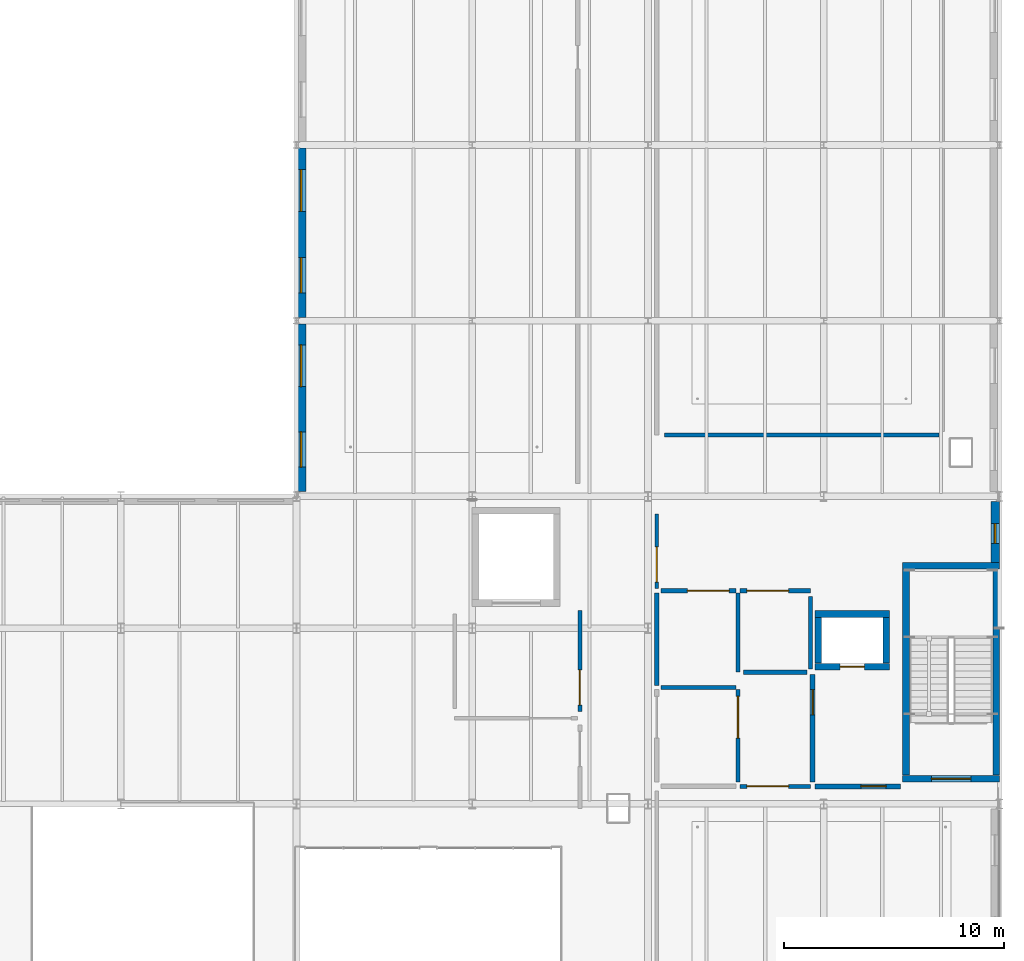
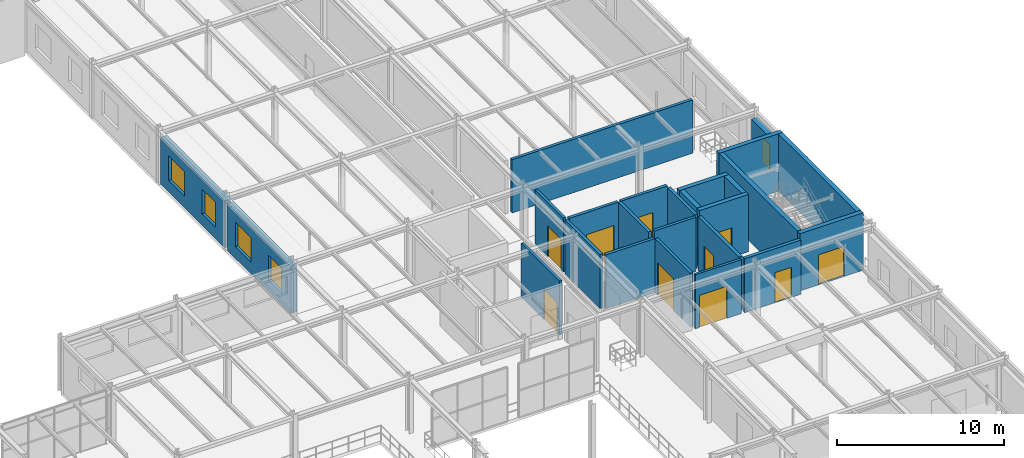
# One storey, part 87 of 124: 25 walls, 10 doors, 5 windows, 15 openings.
"""IFC4 building model written with IfcOpenShell, lengths in metres."""

from ifc_helpers import new_model, si_unit, direction, frame, frame_2d, origin, place, context, subcontext, project, spatial, rectangle, extrude, material, layer, layer_set, type_object, element, fill, save


model = new_model("IFC4")

# Units and contexts
model_context = context("Model", 3, precision=1e-05, world=origin(), true_north=direction((0.0, 1.0)))
body_context = subcontext(model_context, "Body", "Model", "MODEL_VIEW")
ifc_project = project(units=[si_unit("LENGTHUNIT", "METRE"), si_unit("AREAUNIT", "SQUARE_METRE"), si_unit("VOLUMEUNIT", "CUBIC_METRE"), si_unit("PLANEANGLEUNIT", "RADIAN"), si_unit("MASSUNIT", "GRAM", prefix="KILO")], contexts=[model_context])

# Site, building, storey
site_placement = place(None, origin())
site = spatial("IfcSite", under=ifc_project, at=site_placement, CompositionType="ELEMENT")
building_placement = place(site_placement, origin())
building = spatial("IfcBuilding", under=site, at=building_placement, Name="Sundkrona Museum", CompositionType="ELEMENT")
storey_placement = place(building_placement, frame((0.0, 0.0, 17.60009765625)))
storey = spatial("IfcBuildingStorey", under=building, at=storey_placement, Name="L03", CompositionType="ELEMENT", Elevation=17.60009765625)

# Wall, opening, door
ifc_material_1 = material(Name="Concrete C40/50", Category="concrete")
ifc_layer_1 = layer(ifc_material_1, 0.300048828125)
ifc_layer_set_1 = layer_set([ifc_layer_1], Name="Concrete C40/50")
wall_type_1 = type_object("IfcWallType", Name="W-CORE-300", PredefinedType="SHEAR", material=ifc_layer_set_1)
wall_1_placement = place(storey_placement, frame((163.60009765625, 33.14990234375, 0.0), z_axis=(0.0, 0.0, 1.0), x_axis=(1.0, 0.0, 0.0)))
wall_1 = element("IfcWall", 1, at=wall_1_placement, inside=storey, type_object=wall_type_1, Name="L03 ST-1 Core Shear Wall South", PredefinedType="SHEAR", context=body_context, shape_type="SweptSolid", body=[
    extrude(rectangle(XDim=4.39990234375, YDim=0.300048828125, at=frame_2d((2.199951171875, 0.0))), origin(), (0.0, 0.0, 1.0), 4.199951171875),
])
opening_1_placement = place(wall_1_placement, frame((1.300048828125, 0.0, 0.0)))
opening_1 = element("IfcOpeningElement", 2, at=opening_1_placement, cuts=wall_1, Name="Opening D-FD60", PredefinedType="OPENING", context=body_context, shape_type="SweptSolid", body=[
    extrude(rectangle(XDim=1.800048828125, YDim=2.199951171875, at=frame_2d((0.89990234375, 1.10009765625))), frame((0.0, 0.159912109375, 0.0), z_axis=(0.0, -1.0, 0.0), x_axis=(1.0, 0.0, 0.0)), (0.0, 0.0, 1.0), 0.320068359375),
])
ifc_material_2 = material(Name="Steel S355J2 Fire Door Leaf", Category="steel")
door_type_1 = type_object("IfcDoorType", Name="D-FD60", OperationType="DOUBLE_DOOR_SINGLE_SWING", PredefinedType="DOOR", material=ifc_material_2)
door_1_placement = place(opening_1_placement, origin())
door_1 = element("IfcDoor", 3, at=door_1_placement, inside=storey, type_object=door_type_1, Name="L03 ST-1 Protected Escape Stair Door DR-ST-1-L03", OperationType="DOUBLE_DOOR_SINGLE_SWING", OverallHeight=2.199951171875, OverallWidth=1.800048828125, PredefinedType="DOOR", context=body_context, shape_type="SweptSolid", body=[
    extrude(rectangle(XDim=1.800048828125, YDim=2.199951171875, at=frame_2d((0.89990234375, 1.10009765625))), frame((0.0, 0.02490234375, 0.0), z_axis=(0.0, -1.0, 0.0), x_axis=(1.0, 0.0, 0.0)), (0.0, 0.0, 1.0), 0.050048828125),
])
fill(opening_1, door_1)

# Walls
wall_2_placement = place(storey_placement, frame((163.60009765625, 42.85009765625, 0.0), z_axis=(0.0, 0.0, 1.0), x_axis=(1.0, 0.0, 0.0)))
element("IfcWall", 4, at=wall_2_placement, inside=storey, type_object=wall_type_1, Name="L03 ST-1 Core Shear Wall North", PredefinedType="SHEAR", context=body_context, shape_type="SweptSolid", body=[
    extrude(rectangle(XDim=4.39990234375, YDim=0.300048828125, at=frame_2d((2.199951171875, 0.0))), origin(), (0.0, 0.0, 1.0), 4.199951171875),
])
for number, where, z_axis, x_axis, name in (
    (5, (163.75, 33.31005859375, 0.0), (0.0, 0.0, 1.0), (0.0, 1.0, 0.0), "L03 ST-1 Core Shear Wall West"),
    (6, (167.85009765625, 33.31005859375, 0.0), (0.0, 0.0, 1.0), (0.0, 1.0, 0.0), "L03 ST-1 Core Shear Wall East"),
):
    element("IfcWall", number, at=place(storey_placement, frame(where, z_axis=z_axis, x_axis=x_axis)), inside=storey, type_object=wall_type_1, Name=name, PredefinedType="SHEAR", context=body_context, shape_type="SweptSolid", body=[
        extrude(rectangle(XDim=9.3798828125, YDim=0.300048828125, at=frame_2d((4.68994140625, 0.0))), origin(), (0.0, 0.0, 1.0), 4.199951171875),
    ])

# Wall, opening, door
wall_3_placement = place(storey_placement, frame((159.60009765625, 38.25, 0.0), z_axis=(0.0, 0.0, 1.0), x_axis=(1.0, 0.0, 0.0)))
wall_3 = element("IfcWall", 7, at=wall_3_placement, inside=storey, type_object=wall_type_1, Name="L03 PL-1 Lift Shaft Wall South", PredefinedType="SHEAR", context=body_context, shape_type="SweptSolid", body=[
    extrude(rectangle(XDim=3.39990234375, YDim=0.300048828125, at=frame_2d((1.699951171875, 0.0))), origin(), (0.0, 0.0, 1.0), 4.199951171875),
])
opening_2_placement = place(wall_3_placement, frame((1.14990234375, 0.0, 0.0)))
opening_2 = element("IfcOpeningElement", 8, at=opening_2_placement, cuts=wall_3, Name="Opening LD-01", PredefinedType="OPENING", context=body_context, shape_type="SweptSolid", body=[
    extrude(rectangle(XDim=1.10009765625, YDim=2.14990234375, at=frame_2d((0.550048828125, 1.074951171875))), frame((0.0, 0.159912109375, 0.0), z_axis=(0.0, -1.0, 0.0), x_axis=(1.0, 0.0, 0.0)), (0.0, 0.0, 1.0), 0.320068359375),
])
ifc_material_3 = material(Name="Brushed Stainless Steel Lift Door", Category="steel")
door_type_2 = type_object("IfcDoorType", Name="LD-01", OperationType="SLIDING_TO_LEFT", PredefinedType="DOOR", material=ifc_material_3)
door_2_placement = place(opening_2_placement, origin())
door_2 = element("IfcDoor", 9, at=door_2_placement, inside=storey, type_object=door_type_2, Name="L03 Firefighters Passenger Lift PL-1 Landing Door DR-LIFT-PL-1-L03", OperationType="SLIDING_TO_LEFT", OverallHeight=2.14990234375, OverallWidth=1.10009765625, PredefinedType="DOOR", context=body_context, shape_type="SweptSolid", body=[
    extrude(rectangle(XDim=1.10009765625, YDim=2.14990234375, at=frame_2d((0.550048828125, 1.074951171875))), frame((0.0, 0.02490234375, 0.0), z_axis=(0.0, -1.0, 0.0), x_axis=(1.0, 0.0, 0.0)), (0.0, 0.0, 1.0), 0.050048828125),
])
fill(opening_2, door_2)

# Walls
wall_4_placement = place(storey_placement, frame((159.60009765625, 40.64990234375, 0.0), z_axis=(0.0, 0.0, 1.0), x_axis=(1.0, 0.0, 0.0)))
element("IfcWall", 10, at=wall_4_placement, inside=storey, type_object=wall_type_1, Name="L03 PL-1 Lift Shaft Wall North", PredefinedType="SHEAR", context=body_context, shape_type="SweptSolid", body=[
    extrude(rectangle(XDim=3.39990234375, YDim=0.300048828125, at=frame_2d((1.699951171875, 0.0))), origin(), (0.0, 0.0, 1.0), 4.199951171875),
])
for number, where, z_axis, x_axis, name in (
    (11, (159.75, 38.409912109375, 0.0), (0.0, 0.0, 1.0), (0.0, 1.0, 0.0), "L03 PL-1 Lift Shaft Wall West"),
    (12, (162.85009765625, 38.409912109375, 0.0), (0.0, 0.0, 1.0), (0.0, 1.0, 0.0), "L03 PL-1 Lift Shaft Wall East"),
):
    element("IfcWall", number, at=place(storey_placement, frame(where, z_axis=z_axis, x_axis=x_axis)), inside=storey, type_object=wall_type_1, Name=name, PredefinedType="SHEAR", context=body_context, shape_type="SweptSolid", body=[
        extrude(rectangle(XDim=2.080078125, YDim=0.300048828125, at=frame_2d((1.0400390625, 0.0))), origin(), (0.0, 0.0, 1.0), 4.199951171875),
    ])

# Wall, opening, window
ifc_material_4 = material(Name="Scanian Polychrome Clay Brickwork 390 mm", Category="masonry")
ifc_layer_2 = layer(ifc_material_4, 0.389892578125)
ifc_layer_set_2 = layer_set([ifc_layer_2], Name="Scanian Polychrome Clay Brickwork 390 mm")
wall_type_2 = type_object("IfcWallType", Name="W-EX-390", PredefinedType="SOLIDWALL", material=ifc_layer_set_2)
wall_5_placement = place(storey_placement, frame((167.804931640625, 45.77294921875, 0.0), z_axis=(0.0, 0.0, 1.0), x_axis=(0.0, -1.0, 0.0)))
wall_5 = element("IfcWall", 13, at=wall_5_placement, inside=storey, type_object=wall_type_2, Name="L03 Facade Wall 0047", PredefinedType="SOLIDWALL", context=body_context, shape_type="SweptSolid", body=[
    extrude(rectangle(XDim=2.912841796875, YDim=0.389892578125, at=frame_2d((1.45654296875, 0.0))), origin(), (0.0, 0.0, 1.0), 3.44482421875),
])
opening_3_placement = place(wall_5_placement, frame((1.006591796875, 0.0, 0.85009765625)))
opening_3 = element("IfcOpeningElement", 14, at=opening_3_placement, cuts=wall_5, Name="Opening WN-ST-090x180", PredefinedType="OPENING", context=body_context, shape_type="SweptSolid", body=[
    extrude(rectangle(XDim=0.89990234375, YDim=1.800048828125, at=frame_2d((0.449951171875, 0.89990234375))), frame((0.0, 0.204833984375, 0.0), z_axis=(0.0, -1.0, 0.0), x_axis=(1.0, 0.0, 0.0)), (0.0, 0.0, 1.0), 0.409912109375),
])
ifc_material_5 = material(Name="Triple Low-E Argon Glazing in Bronze-Anodised Aluminium", Category="aluminium")
window_type_1 = type_object("IfcWindowType", Name="WN-ST-090x180", PartitioningType="SINGLE_PANEL", PredefinedType="WINDOW", material=ifc_material_5)
window_1_placement = place(opening_3_placement, origin())
window_1 = element("IfcWindow", 15, at=window_1_placement, inside=storey, type_object=window_type_1, Name="L03 Stair-core avenue daylight slot window 900x1800 WIN-L03-0061", OverallHeight=1.800048828125, OverallWidth=0.89990234375, PartitioningType="SINGLE_PANEL", PredefinedType="WINDOW", context=body_context, shape_type="SweptSolid", body=[
    extrude(rectangle(XDim=0.89990234375, YDim=1.800048828125, at=frame_2d((0.449951171875, 0.89990234375))), frame((0.0, 0.030029296875, 0.0), z_axis=(0.0, -1.0, 0.0), x_axis=(1.0, 0.0, 0.0)), (0.0, 0.0, 1.0), 0.06005859375),
])
fill(opening_3, window_1)

# Wall, openings, windows
ifc_material_6 = material(Name="Scanian Polychrome Clay Brickwork 420 mm", Category="masonry")
ifc_layer_3 = layer(ifc_material_6, 0.419921875)
ifc_layer_set_3 = layer_set([ifc_layer_3], Name="Scanian Polychrome Clay Brickwork 420 mm")
wall_type_3 = type_object("IfcWallType", Name="W-EX-420", PredefinedType="SOLIDWALL", material=ifc_layer_set_3)
wall_6_placement = place(storey_placement, frame((136.2099609375, 46.22705078125, 0.0), z_axis=(0.0, 0.0, 1.0), x_axis=(0.0, 1.0, 0.0)))
wall_6 = element("IfcWall", 16, at=wall_6_placement, inside=storey, type_object=wall_type_3, Name="L03 Facade Wall 0311", PredefinedType="SOLIDWALL", context=body_context, shape_type="SweptSolid", body=[
    extrude(rectangle(XDim=7.630859375, YDim=0.419921875, at=frame_2d((3.8154296875, 0.0))), origin(), (0.0, 0.0, 1.0), 3.44482421875),
])
opening_4_placement = place(wall_6_placement, frame((1.10791015625, 0.0, 0.85009765625)))
opening_4 = element("IfcOpeningElement", 17, at=opening_4_placement, cuts=wall_6, Name="Opening WN-LB-160x180", PredefinedType="OPENING", context=body_context, shape_type="SweptSolid", body=[
    extrude(rectangle(XDim=1.60009765625, YDim=1.800048828125, at=frame_2d((0.800048828125, 0.89990234375))), frame((0.0, 0.219970703125, 0.0), z_axis=(0.0, -1.0, 0.0), x_axis=(1.0, 0.0, 0.0)), (0.0, 0.0, 1.0), 0.43994140625),
])
opening_5_placement = place(wall_6_placement, frame((4.773193359375, 0.0, 0.85009765625)))
opening_5 = element("IfcOpeningElement", 18, at=opening_5_placement, cuts=wall_6, Name="Opening WN-LB-190x180", PredefinedType="OPENING", context=body_context, shape_type="SweptSolid", body=[
    extrude(rectangle(XDim=1.89990234375, YDim=1.800048828125, at=frame_2d((0.949951171875, 0.89990234375))), frame((0.0, 0.219970703125, 0.0), z_axis=(0.0, -1.0, 0.0), x_axis=(1.0, 0.0, 0.0)), (0.0, 0.0, 1.0), 0.43994140625),
])
window_type_2 = type_object("IfcWindowType", Name="WN-LB-160x180", PartitioningType="DOUBLE_PANEL_VERTICAL", PredefinedType="WINDOW", material=ifc_material_5)
window_2_placement = place(opening_4_placement, origin())
window_2 = element("IfcWindow", 19, at=window_2_placement, inside=storey, type_object=window_type_2, Name="L03 Conservation laboratory deep-reveal window 1600x1800 WIN-L03-0428", OverallHeight=1.800048828125, OverallWidth=1.60009765625, PartitioningType="DOUBLE_PANEL_VERTICAL", PredefinedType="WINDOW", context=body_context, shape_type="SweptSolid", body=[
    extrude(rectangle(XDim=1.60009765625, YDim=1.800048828125, at=frame_2d((0.800048828125, 0.89990234375))), frame((0.0, 0.030029296875, 0.0), z_axis=(0.0, -1.0, 0.0), x_axis=(1.0, 0.0, 0.0)), (0.0, 0.0, 1.0), 0.06005859375),
])
fill(opening_4, window_2)
window_type_3 = type_object("IfcWindowType", Name="WN-LB-190x180", PartitioningType="DOUBLE_PANEL_VERTICAL", PredefinedType="WINDOW", material=ifc_material_5)
window_3_placement = place(opening_5_placement, origin())
window_3 = element("IfcWindow", 20, at=window_3_placement, inside=storey, type_object=window_type_3, Name="L03 Analytical studio bench-height window 1900x1800 WIN-L03-0429", OverallHeight=1.800048828125, OverallWidth=1.89990234375, PartitioningType="DOUBLE_PANEL_VERTICAL", PredefinedType="WINDOW", context=body_context, shape_type="SweptSolid", body=[
    extrude(rectangle(XDim=1.89990234375, YDim=1.800048828125, at=frame_2d((0.949951171875, 0.89990234375))), frame((0.0, 0.030029296875, 0.0), z_axis=(0.0, -1.0, 0.0), x_axis=(1.0, 0.0, 0.0)), (0.0, 0.0, 1.0), 0.06005859375),
])
fill(opening_5, window_3)

wall_7_placement = place(storey_placement, frame((136.2099609375, 54.14208984375, 0.0), z_axis=(0.0, 0.0, 1.0), x_axis=(0.0, 1.0, 0.0)))
wall_7 = element("IfcWall", 21, at=wall_7_placement, inside=storey, type_object=wall_type_3, Name="L03 Facade Wall 0312", PredefinedType="SOLIDWALL", context=body_context, shape_type="SweptSolid", body=[
    extrude(rectangle(XDim=7.7158203125, YDim=0.419921875, at=frame_2d((3.85791015625, 0.0))), origin(), (0.0, 0.0, 1.0), 3.44482421875),
])
opening_6_placement = place(wall_7_placement, frame((1.12890625, 0.0, 0.85009765625)))
opening_6 = element("IfcOpeningElement", 22, at=opening_6_placement, cuts=wall_7, Name="Opening WN-LB-160x180", PredefinedType="OPENING", context=body_context, shape_type="SweptSolid", body=[
    extrude(rectangle(XDim=1.60009765625, YDim=1.800048828125, at=frame_2d((0.800048828125, 0.89990234375))), frame((0.0, 0.219970703125, 0.0), z_axis=(0.0, -1.0, 0.0), x_axis=(1.0, 0.0, 0.0)), (0.0, 0.0, 1.0), 0.43994140625),
])
opening_7_placement = place(wall_7_placement, frame((4.8369140625, 0.0, 0.85009765625)))
opening_7 = element("IfcOpeningElement", 23, at=opening_7_placement, cuts=wall_7, Name="Opening WN-LB-190x180", PredefinedType="OPENING", context=body_context, shape_type="SweptSolid", body=[
    extrude(rectangle(XDim=1.89990234375, YDim=1.800048828125, at=frame_2d((0.949951171875, 0.89990234375))), frame((0.0, 0.219970703125, 0.0), z_axis=(0.0, -1.0, 0.0), x_axis=(1.0, 0.0, 0.0)), (0.0, 0.0, 1.0), 0.43994140625),
])
window_4_placement = place(opening_6_placement, origin())
window_4 = element("IfcWindow", 24, at=window_4_placement, inside=storey, type_object=window_type_2, Name="L03 Conservation laboratory deep-reveal window 1600x1800 WIN-L03-0430", OverallHeight=1.800048828125, OverallWidth=1.60009765625, PartitioningType="DOUBLE_PANEL_VERTICAL", PredefinedType="WINDOW", context=body_context, shape_type="SweptSolid", body=[
    extrude(rectangle(XDim=1.60009765625, YDim=1.800048828125, at=frame_2d((0.800048828125, 0.89990234375))), frame((0.0, 0.030029296875, 0.0), z_axis=(0.0, -1.0, 0.0), x_axis=(1.0, 0.0, 0.0)), (0.0, 0.0, 1.0), 0.06005859375),
])
fill(opening_6, window_4)
window_5_placement = place(opening_7_placement, origin())
window_5 = element("IfcWindow", 25, at=window_5_placement, inside=storey, type_object=window_type_3, Name="L03 Analytical studio bench-height window 1900x1800 WIN-L03-0431", OverallHeight=1.800048828125, OverallWidth=1.89990234375, PartitioningType="DOUBLE_PANEL_VERTICAL", PredefinedType="WINDOW", context=body_context, shape_type="SweptSolid", body=[
    extrude(rectangle(XDim=1.89990234375, YDim=1.800048828125, at=frame_2d((0.949951171875, 0.89990234375))), frame((0.0, 0.030029296875, 0.0), z_axis=(0.0, -1.0, 0.0), x_axis=(1.0, 0.0, 0.0)), (0.0, 0.0, 1.0), 0.06005859375),
])
fill(opening_7, window_5)

# Wall, opening, door
ifc_material_7 = material(Name="Autoclaved Aerated Masonry 225 mm", Category="masonry")
ifc_layer_4 = layer(ifc_material_7, 0.22509765625)
ifc_layer_set_4 = layer_set([ifc_layer_4], Name="Autoclaved Aerated Masonry 225 mm")
wall_type_4 = type_object("IfcWallType", Name="W-FF-225", PredefinedType="SOLIDWALL", material=ifc_layer_set_4)
wall_8_placement = place(storey_placement, frame((159.5, 33.0, 0.0), z_axis=(0.0, 0.0, 1.0), x_axis=(0.0, 1.0, 0.0)))
wall_8 = element("IfcWall", 26, at=wall_8_placement, inside=storey, type_object=wall_type_4, Name="L03 Partition Firefighting Lobby / Core 1 Level 03 Link", PredefinedType="SOLIDWALL", context=body_context, shape_type="SweptSolid", body=[
    extrude(rectangle(XDim=4.89990234375, YDim=0.22509765625, at=frame_2d((2.449951171875, 0.0))), origin(), (0.0, 0.0, 1.0), 3.9599609375),
])
opening_8_placement = place(wall_8_placement, frame((3.05615234375, 0.0, 0.0)))
opening_8 = element("IfcOpeningElement", 27, at=opening_8_placement, cuts=wall_8, Name="Opening D-FF60", PredefinedType="OPENING", context=body_context, shape_type="SweptSolid", body=[
    extrude(rectangle(XDim=1.14990234375, YDim=2.199951171875, at=frame_2d((0.574951171875, 1.10009765625))), frame((0.0, 0.12255859375, 0.0), z_axis=(0.0, -1.0, 0.0), x_axis=(1.0, 0.0, 0.0)), (0.0, 0.0, 1.0), 0.2451171875),
])
door_type_3 = type_object("IfcDoorType", Name="D-FF60", OperationType="NOTDEFINED", PredefinedType="DOOR", material=ifc_material_2)
door_3_placement = place(opening_8_placement, origin())
door_3 = element("IfcDoor", 28, at=door_3_placement, inside=storey, type_object=door_type_3, Name="L03 Interior Door DR-ADJ-L03-0147", OperationType="SINGLE_SWING_LEFT", OverallHeight=2.199951171875, OverallWidth=1.14990234375, PredefinedType="DOOR", context=body_context, shape_type="SweptSolid", body=[
    extrude(rectangle(XDim=1.14990234375, YDim=2.199951171875, at=frame_2d((0.574951171875, 1.10009765625))), frame((0.0, 0.02490234375, 0.0), z_axis=(0.0, -1.0, 0.0), x_axis=(1.0, 0.0, 0.0)), (0.0, 0.0, 1.0), 0.050048828125),
])
fill(opening_8, door_3)

wall_9_placement = place(storey_placement, frame((159.60009765625, 32.800048828125, 0.0), z_axis=(0.0, 0.0, 1.0), x_axis=(1.0, 0.0, 0.0)))
wall_9 = element("IfcWall", 29, at=wall_9_placement, inside=storey, type_object=wall_type_4, Name="L03 Partition Firefighting Lobby / Ornithology Exhibition Hall", PredefinedType="SOLIDWALL", context=body_context, shape_type="SweptSolid", body=[
    extrude(rectangle(XDim=3.89990234375, YDim=0.22509765625, at=frame_2d((1.949951171875, 0.0))), origin(), (0.0, 0.0, 1.0), 3.9599609375),
])
opening_9_placement = place(wall_9_placement, frame((2.091796875, 0.0, 0.0)))
opening_9 = element("IfcOpeningElement", 30, at=opening_9_placement, cuts=wall_9, Name="Opening D-FF60", PredefinedType="OPENING", context=body_context, shape_type="SweptSolid", body=[
    extrude(rectangle(XDim=1.14990234375, YDim=2.199951171875, at=frame_2d((0.574951171875, 1.10009765625))), frame((0.0, 0.12255859375, 0.0), z_axis=(0.0, -1.0, 0.0), x_axis=(1.0, 0.0, 0.0)), (0.0, 0.0, 1.0), 0.2451171875),
])
door_4_placement = place(opening_9_placement, origin())
door_4 = element("IfcDoor", 31, at=door_4_placement, inside=storey, type_object=door_type_3, Name="L03 Interior Door DR-ADJ-L03-0148", OperationType="SINGLE_SWING_RIGHT", OverallHeight=2.199951171875, OverallWidth=1.14990234375, PredefinedType="DOOR", context=body_context, shape_type="SweptSolid", body=[
    extrude(rectangle(XDim=1.14990234375, YDim=2.199951171875, at=frame_2d((0.574951171875, 1.10009765625))), frame((0.0, 0.02490234375, 0.0), z_axis=(0.0, -1.0, 0.0), x_axis=(1.0, 0.0, 0.0)), (0.0, 0.0, 1.0), 0.050048828125),
])
fill(opening_9, door_4)

ifc_material_8 = material(Name="Fire-rated Gypsum Partition Board 175 mm", Category="other")
ifc_layer_5 = layer(ifc_material_8, 0.175048828125)
ifc_layer_set_5 = layer_set([ifc_layer_5], Name="Fire-rated Gypsum Partition Board 175 mm")
wall_type_5 = type_object("IfcWallType", Name="W-PT-175", PredefinedType="PARTITIONING", material=ifc_layer_set_5)
wall_10_placement = place(storey_placement, frame((148.89990234375, 36.199951171875, 0.0), z_axis=(0.0, 0.0, 1.0), x_axis=(0.0, 1.0, 0.0)))
wall_10 = element("IfcWall", 32, at=wall_10_placement, inside=storey, type_object=wall_type_5, Name="L03 Partition Goods Lift Lobby / East Laboratory Spine", PredefinedType="PARTITIONING", context=body_context, shape_type="SweptSolid", body=[
    extrude(rectangle(XDim=4.60009765625, YDim=0.175048828125, at=frame_2d((2.300048828125, 0.0))), origin(), (0.0, 0.0, 1.0), 3.9599609375),
])
opening_10_placement = place(wall_10_placement, frame((0.300048828125, 0.0, 0.0)))
opening_10 = element("IfcOpeningElement", 33, at=opening_10_placement, cuts=wall_10, Name="Opening D-CMP-160", PredefinedType="OPENING", context=body_context, shape_type="SweptSolid", body=[
    extrude(rectangle(XDim=1.60009765625, YDim=2.25, at=frame_2d((0.800048828125, 1.125))), frame((0.0, 0.097412109375, 0.0), z_axis=(0.0, -1.0, 0.0), x_axis=(1.0, 0.0, 0.0)), (0.0, 0.0, 1.0), 0.195068359375),
])
ifc_material_9 = material(Name="Glazed Steel Fire Screen Door", Category="steel")
door_type_4 = type_object("IfcDoorType", Name="D-CMP-160", OperationType="DOUBLE_DOOR_SINGLE_SWING", PredefinedType="DOOR", material=ifc_material_9)
door_5_placement = place(opening_10_placement, origin())
door_5 = element("IfcDoor", 34, at=door_5_placement, inside=storey, type_object=door_type_4, Name="L03 Interior Door DR-ADJ-L03-0150", OperationType="DOUBLE_DOOR_SINGLE_SWING", OverallHeight=2.25, OverallWidth=1.60009765625, PredefinedType="DOOR", context=body_context, shape_type="SweptSolid", body=[
    extrude(rectangle(XDim=1.60009765625, YDim=2.25, at=frame_2d((0.800048828125, 1.125))), frame((0.0, 0.02490234375, 0.0), z_axis=(0.0, -1.0, 0.0), x_axis=(1.0, 0.0, 0.0)), (0.0, 0.0, 1.0), 0.050048828125),
])
fill(opening_10, door_5)

wall_11_placement = place(storey_placement, frame((152.39990234375, 41.800048828125, 0.0), z_axis=(0.0, 0.0, 1.0), x_axis=(0.0, 1.0, 0.0)))
wall_11 = element("IfcWall", 35, at=wall_11_placement, inside=storey, type_object=wall_type_5, Name="L03 Partition Sanitary WC Lobby / East Laboratory Spine", PredefinedType="PARTITIONING", context=body_context, shape_type="SweptSolid", body=[
    extrude(rectangle(XDim=3.39990234375, YDim=0.175048828125, at=frame_2d((1.699951171875, 0.0))), origin(), (0.0, 0.0, 1.0), 3.9599609375),
])
opening_11_placement = place(wall_11_placement, frame((0.300048828125, 0.0, 0.0)))
opening_11 = element("IfcOpeningElement", 36, at=opening_11_placement, cuts=wall_11, Name="Opening D-CMP-160", PredefinedType="OPENING", context=body_context, shape_type="SweptSolid", body=[
    extrude(rectangle(XDim=1.60009765625, YDim=2.25, at=frame_2d((0.800048828125, 1.125))), frame((0.0, 0.097412109375, 0.0), z_axis=(0.0, -1.0, 0.0), x_axis=(1.0, 0.0, 0.0)), (0.0, 0.0, 1.0), 0.195068359375),
])
door_6_placement = place(opening_11_placement, origin())
door_6 = element("IfcDoor", 37, at=door_6_placement, inside=storey, type_object=door_type_4, Name="L03 Interior Door DR-ADJ-L03-0153", OperationType="DOUBLE_DOOR_SINGLE_SWING", OverallHeight=2.25, OverallWidth=1.60009765625, PredefinedType="DOOR", context=body_context, shape_type="SweptSolid", body=[
    extrude(rectangle(XDim=1.60009765625, YDim=2.25, at=frame_2d((0.800048828125, 1.125))), frame((0.0, 0.02490234375, 0.0), z_axis=(0.0, -1.0, 0.0), x_axis=(1.0, 0.0, 0.0)), (0.0, 0.0, 1.0), 0.050048828125),
])
fill(opening_11, door_6)

wall_12_placement = place(storey_placement, frame((156.199951171875, 32.800048828125, 0.0), z_axis=(0.0, 0.0, 1.0), x_axis=(1.0, 0.0, 0.0)))
wall_12 = element("IfcWall", 38, at=wall_12_placement, inside=storey, type_object=wall_type_5, Name="L03 Partition Core 1 Level 03 Link / Ornithology Exhibition Hall", PredefinedType="PARTITIONING", context=body_context, shape_type="SweptSolid", body=[
    extrude(rectangle(XDim=3.199951171875, YDim=0.175048828125, at=frame_2d((1.60009765625, 0.0))), origin(), (0.0, 0.0, 1.0), 3.9599609375),
])
opening_12_placement = place(wall_12_placement, frame((0.300048828125, 0.0, 0.0)))
opening_12 = element("IfcOpeningElement", 39, at=opening_12_placement, cuts=wall_12, Name="Opening D-AUD-190", PredefinedType="OPENING", context=body_context, shape_type="SweptSolid", body=[
    extrude(rectangle(XDim=1.89990234375, YDim=2.35009765625, at=frame_2d((0.949951171875, 1.175048828125))), frame((0.0, 0.097412109375, 0.0), z_axis=(0.0, -1.0, 0.0), x_axis=(1.0, 0.0, 0.0)), (0.0, 0.0, 1.0), 0.195068359375),
])
ifc_material_10 = material(Name="Acoustic Oak Fire Door", Category="other")
door_type_5 = type_object("IfcDoorType", Name="D-AUD-190", OperationType="DOUBLE_DOOR_SINGLE_SWING", PredefinedType="DOOR", material=ifc_material_10)
door_7_placement = place(opening_12_placement, origin())
door_7 = element("IfcDoor", 40, at=door_7_placement, inside=storey, type_object=door_type_5, Name="L03 Interior Door DR-ADJ-L03-0169", OperationType="DOUBLE_DOOR_SINGLE_SWING", OverallHeight=2.35009765625, OverallWidth=1.89990234375, PredefinedType="DOOR", context=body_context, shape_type="SweptSolid", body=[
    extrude(rectangle(XDim=1.89990234375, YDim=2.35009765625, at=frame_2d((0.949951171875, 1.175048828125))), frame((0.0, 0.02490234375, 0.0), z_axis=(0.0, -1.0, 0.0), x_axis=(1.0, 0.0, 0.0)), (0.0, 0.0, 1.0), 0.050048828125),
])
fill(opening_12, door_7)

ifc_material_11 = material(Name="Moisture-resistant Tile Partition 200 mm", Category="other")
ifc_layer_6 = layer(ifc_material_11, 0.199951171875)
ifc_layer_set_6 = layer_set([ifc_layer_6], Name="Moisture-resistant Tile Partition 200 mm")
wall_type_6 = type_object("IfcWallType", Name="W-PT-200", PredefinedType="PARTITIONING", material=ifc_layer_set_6)
wall_13_placement = place(storey_placement, frame((152.60009765625, 41.699951171875, 0.0), z_axis=(0.0, 0.0, 1.0), x_axis=(1.0, 0.0, 0.0)))
wall_13 = element("IfcWall", 41, at=wall_13_placement, inside=storey, type_object=wall_type_6, Name="L03 Partition Sanitary WC Lobby / Female Toilet", PredefinedType="PARTITIONING", context=body_context, shape_type="SweptSolid", body=[
    extrude(rectangle(XDim=3.39990234375, YDim=0.199951171875, at=frame_2d((1.699951171875, 0.0))), origin(), (0.0, 0.0, 1.0), 3.9599609375),
])
opening_13_placement = place(wall_13_placement, frame((1.199951171875, 0.0, 0.0)))
opening_13 = element("IfcOpeningElement", 42, at=opening_13_placement, cuts=wall_13, Name="Opening D-AUD-190", PredefinedType="OPENING", context=body_context, shape_type="SweptSolid", body=[
    extrude(rectangle(XDim=1.89990234375, YDim=2.35009765625, at=frame_2d((0.949951171875, 1.175048828125))), frame((0.0, 0.10986328125, 0.0), z_axis=(0.0, -1.0, 0.0), x_axis=(1.0, 0.0, 0.0)), (0.0, 0.0, 1.0), 0.219970703125),
])
door_8_placement = place(opening_13_placement, origin())
door_8 = element("IfcDoor", 43, at=door_8_placement, inside=storey, type_object=door_type_5, Name="L03 Interior Door DR-ADJ-L03-0151", OperationType="DOUBLE_DOOR_SINGLE_SWING", OverallHeight=2.35009765625, OverallWidth=1.89990234375, PredefinedType="DOOR", context=body_context, shape_type="SweptSolid", body=[
    extrude(rectangle(XDim=1.89990234375, YDim=2.35009765625, at=frame_2d((0.949951171875, 1.175048828125))), frame((0.0, 0.02490234375, 0.0), z_axis=(0.0, -1.0, 0.0), x_axis=(1.0, 0.0, 0.0)), (0.0, 0.0, 1.0), 0.050048828125),
])
fill(opening_13, door_8)

wall_14_placement = place(storey_placement, frame((156.199951171875, 41.699951171875, 0.0), z_axis=(0.0, 0.0, 1.0), x_axis=(1.0, 0.0, 0.0)))
wall_14 = element("IfcWall", 44, at=wall_14_placement, inside=storey, type_object=wall_type_6, Name="L03 Partition Sanitary WC Lobby / Accessible WC", PredefinedType="PARTITIONING", context=body_context, shape_type="SweptSolid", body=[
    extrude(rectangle(XDim=3.199951171875, YDim=0.199951171875, at=frame_2d((1.60009765625, 0.0))), origin(), (0.0, 0.0, 1.0), 3.9599609375),
])
opening_14_placement = place(wall_14_placement, frame((0.300048828125, 0.0, 0.0)))
opening_14 = element("IfcOpeningElement", 45, at=opening_14_placement, cuts=wall_14, Name="Opening D-AUD-190", PredefinedType="OPENING", context=body_context, shape_type="SweptSolid", body=[
    extrude(rectangle(XDim=1.89990234375, YDim=2.35009765625, at=frame_2d((0.949951171875, 1.175048828125))), frame((0.0, 0.10986328125, 0.0), z_axis=(0.0, -1.0, 0.0), x_axis=(1.0, 0.0, 0.0)), (0.0, 0.0, 1.0), 0.219970703125),
])
door_9_placement = place(opening_14_placement, origin())
door_9 = element("IfcDoor", 46, at=door_9_placement, inside=storey, type_object=door_type_5, Name="L03 Interior Door DR-ADJ-L03-0152", OperationType="DOUBLE_DOOR_SINGLE_SWING", OverallHeight=2.35009765625, OverallWidth=1.89990234375, PredefinedType="DOOR", context=body_context, shape_type="SweptSolid", body=[
    extrude(rectangle(XDim=1.89990234375, YDim=2.35009765625, at=frame_2d((0.949951171875, 1.175048828125))), frame((0.0, 0.02490234375, 0.0), z_axis=(0.0, -1.0, 0.0), x_axis=(1.0, 0.0, 0.0)), (0.0, 0.0, 1.0), 0.050048828125),
])
fill(opening_14, door_9)

# Wall
wall_15_placement = place(storey_placement, frame((152.60009765625, 37.300048828125, 0.0), z_axis=(0.0, 0.0, 1.0), x_axis=(1.0, 0.0, 0.0)))
element("IfcWall", 47, at=wall_15_placement, inside=storey, type_object=wall_type_6, Name="L03 Partition Male Toilet / Female Toilet", PredefinedType="PARTITIONING", context=body_context, shape_type="SweptSolid", body=[
    extrude(rectangle(XDim=3.39990234375, YDim=0.199951171875, at=frame_2d((1.699951171875, 0.0))), origin(), (0.0, 0.0, 1.0), 3.9599609375),
])

# Wall, opening, door
wall_16_placement = place(storey_placement, frame((156.10009765625, 33.0, 0.0), z_axis=(0.0, 0.0, 1.0), x_axis=(0.0, 1.0, 0.0)))
wall_16 = element("IfcWall", 48, at=wall_16_placement, inside=storey, type_object=wall_type_6, Name="L03 Partition Male Toilet / Core 1 Level 03 Link", PredefinedType="PARTITIONING", context=body_context, shape_type="SweptSolid", body=[
    extrude(rectangle(XDim=4.199951171875, YDim=0.199951171875, at=frame_2d((2.10009765625, 0.0))), origin(), (0.0, 0.0, 1.0), 3.9599609375),
])
opening_15_placement = place(wall_16_placement, frame((2.0, 0.0, 0.0)))
opening_15 = element("IfcOpeningElement", 49, at=opening_15_placement, cuts=wall_16, Name="Opening D-AUD-190", PredefinedType="OPENING", context=body_context, shape_type="SweptSolid", body=[
    extrude(rectangle(XDim=1.89990234375, YDim=2.35009765625, at=frame_2d((0.949951171875, 1.175048828125))), frame((0.0, 0.10986328125, 0.0), z_axis=(0.0, -1.0, 0.0), x_axis=(1.0, 0.0, 0.0)), (0.0, 0.0, 1.0), 0.219970703125),
])
door_10_placement = place(opening_15_placement, origin())
door_10 = element("IfcDoor", 50, at=door_10_placement, inside=storey, type_object=door_type_5, Name="L03 Interior Door DR-ADJ-L03-0155", OperationType="DOUBLE_DOOR_SINGLE_SWING", OverallHeight=2.35009765625, OverallWidth=1.89990234375, PredefinedType="DOOR", context=body_context, shape_type="SweptSolid", body=[
    extrude(rectangle(XDim=1.89990234375, YDim=2.35009765625, at=frame_2d((0.949951171875, 1.175048828125))), frame((0.0, 0.02490234375, 0.0), z_axis=(0.0, -1.0, 0.0), x_axis=(1.0, 0.0, 0.0)), (0.0, 0.0, 1.0), 0.050048828125),
])
fill(opening_15, door_10)

# Walls
wall_17_placement = place(storey_placement, frame((156.10009765625, 38.0, 0.0), z_axis=(0.0, 0.0, 1.0), x_axis=(0.0, 1.0, 0.0)))
element("IfcWall", 51, at=wall_17_placement, inside=storey, type_object=wall_type_6, Name="L03 Partition Female Toilet / Accessible WC", PredefinedType="PARTITIONING", context=body_context, shape_type="SweptSolid", body=[
    extrude(rectangle(XDim=3.60009765625, YDim=0.199951171875, at=frame_2d((1.800048828125, 0.0))), origin(), (0.0, 0.0, 1.0), 3.9599609375),
])
wall_18_placement = place(storey_placement, frame((152.39990234375, 37.39990234375, 0.0), z_axis=(0.0, 0.0, 1.0), x_axis=(0.0, 1.0, 0.0)))
element("IfcWall", 52, at=wall_18_placement, inside=storey, type_object=wall_type_6, Name="L03 Partition Female Toilet / East Laboratory Spine", PredefinedType="PARTITIONING", context=body_context, shape_type="SweptSolid", body=[
    extrude(rectangle(XDim=4.2001953125, YDim=0.199951171875, at=frame_2d((2.10009765625, 0.0))), origin(), (0.0, 0.0, 1.0), 3.9599609375),
])
wall_19_placement = place(storey_placement, frame((156.35009765625, 38.0, 0.0), z_axis=(0.0, 0.0, 1.0), x_axis=(1.0, 0.0, 0.0)))
element("IfcWall", 53, at=wall_19_placement, inside=storey, type_object=wall_type_6, Name="L03 Accessible WC Enclosure Wall S", PredefinedType="PARTITIONING", context=body_context, shape_type="SweptSolid", body=[
    extrude(rectangle(XDim=2.89990234375, YDim=0.199951171875, at=frame_2d((1.449951171875, 0.0))), origin(), (0.0, 0.0, 1.0), 3.9599609375),
])
wall_20_placement = place(storey_placement, frame((159.39990234375, 38.14990234375, 0.0), z_axis=(0.0, 0.0, 1.0), x_axis=(0.0, 1.0, 0.0)))
element("IfcWall", 54, at=wall_20_placement, inside=storey, type_object=wall_type_6, Name="L03 Accessible WC Enclosure Wall E", PredefinedType="PARTITIONING", context=body_context, shape_type="SweptSolid", body=[
    extrude(rectangle(XDim=3.300048828125, YDim=0.199951171875, at=frame_2d((1.64990234375, 0.0))), origin(), (0.0, 0.0, 1.0), 3.9599609375),
])
wall_21_placement = place(storey_placement, frame((152.75, 48.800048828125, 0.0), z_axis=(0.0, 0.0, 1.0), x_axis=(1.0, 0.0, 0.0)))
element("IfcWall", 55, at=wall_21_placement, inside=storey, type_object=wall_type_6, Name="L03 Imaging and Photogrammetry Studio Enclosure Wall S", PredefinedType="PARTITIONING", context=body_context, shape_type="SweptSolid", body=[
    extrude(rectangle(XDim=12.5, YDim=0.199951171875, at=frame_2d((6.25, 0.0))), origin(), (0.0, 0.0, 1.0), 3.89990234375),
])

save(model, "model.ifc")
